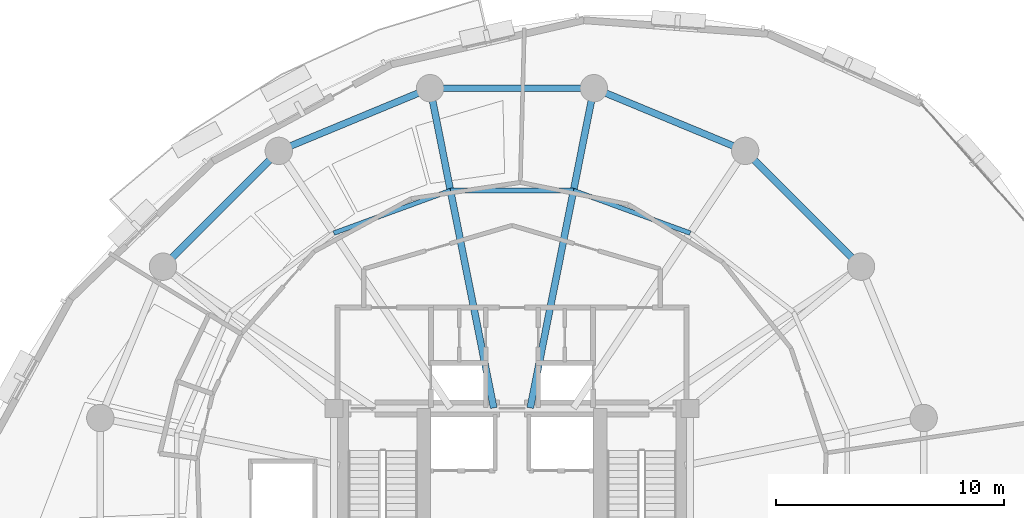
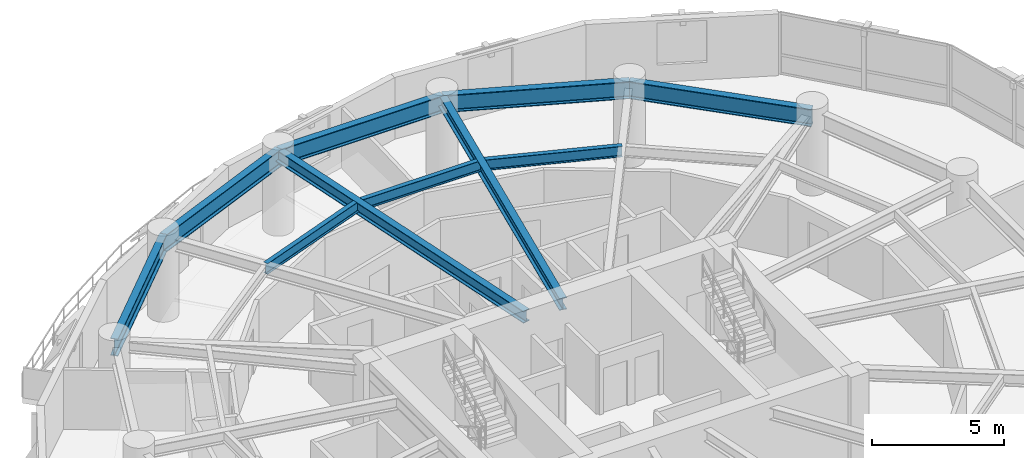
# One storey, part 5 of 12: 10 beams.
"""IFC4 building model written with IfcOpenShell, lengths in metres."""

from ifc_helpers import new_model, si_unit, direction, frame, origin, origin_2d, place, context, subcontext, project, spatial, i_section, extrude, material, material_profile, profile_set, type_object, element, save


model = new_model("IFC4")

# Units and contexts
model_context = context("Model", 3, precision=1e-05, world=origin(), true_north=direction((0.0, 1.0)))
body_context = subcontext(model_context, "Body", "Model", "MODEL_VIEW")
ifc_project = project(units=[si_unit("LENGTHUNIT", "METRE"), si_unit("AREAUNIT", "SQUARE_METRE"), si_unit("VOLUMEUNIT", "CUBIC_METRE"), si_unit("PLANEANGLEUNIT", "RADIAN"), si_unit("MASSUNIT", "GRAM", prefix="KILO"), si_unit("THERMODYNAMICTEMPERATUREUNIT", "KELVIN"), si_unit("POWERUNIT", "WATT")], contexts=[model_context])

# Site, building, storey
site_placement = place(None, origin())
site = spatial("IfcSite", under=ifc_project, at=site_placement, CompositionType="ELEMENT")
building_placement = place(site_placement, origin())
building = spatial("IfcBuilding", under=site, at=building_placement, Name="Ocrelia Relay Tower", CompositionType="ELEMENT")
storey_placement = place(building_placement, frame((0.0, 0.0, 153.800048828125)))
storey = spatial("IfcBuildingStorey", under=building, at=storey_placement, Name="L36", CompositionType="ELEMENT", Elevation=153.800048828125)

# Beams
ifc_material = material(Name="Steel S355", Category="steel")
ifc_material_profile_1 = material_profile(ifc_material, i_section(OverallWidth=0.300048828125, OverallDepth=0.550048828125, WebThickness=0.014892578125, FlangeThickness=0.029052734375, FilletRadius=0.027099609375, at=origin_2d()), Name="HEB 550")
ifc_profile_set_1 = profile_set([ifc_material_profile_1], Name="Steel S355")
beam_type_1 = type_object("IfcBeamType", Name="BM-HEB550", PredefinedType="BEAM", material=ifc_profile_set_1)
for number, where, z_axis, x_axis, name in (
    (1, (37.589599609375, 44.04638671875, 3.405029296875), (-0.195094300142, -0.980784489096, 0.0), (0.980784489096, -0.195094300142, 0.0), "L36 Radial Floor Girder R04"),
    (2, (30.410400390625, 44.04638671875, 3.405029296875), (0.195094300142, -0.980784489096, 0.0), (0.980784489096, 0.195094300142, 0.0), "L36 Radial Floor Girder R05"),
):
    element("IfcBeam", number, at=place(storey_placement, frame(where, z_axis=z_axis, x_axis=x_axis)), inside=storey, type_object=beam_type_1, Name=name, PredefinedType="BEAM", context=body_context, shape_type="SweptSolid", body=[
        extrude(i_section(OverallWidth=0.300048828125, OverallDepth=0.550048828125, WebThickness=0.014892578125, FlangeThickness=0.029052734375, FilletRadius=0.027099609375, at=origin_2d()), origin(), (0.0, 0.0, 1.0), 14.291015625),
    ])
ifc_material_profile_2 = material_profile(ifc_material, i_section(OverallWidth=0.300048828125, OverallDepth=0.800048828125, WebThickness=0.017578125, FlangeThickness=0.032958984375, FilletRadius=0.030029296875, at=origin_2d()), Name="HEB 800")
ifc_profile_set_2 = profile_set([ifc_material_profile_2], Name="Steel S355")
beam_type_2 = type_object("IfcBeamType", Name="BM-HEB800", PredefinedType="BEAM", material=ifc_profile_set_2)
beam_1_placement = place(storey_placement, frame((49.299072265625, 36.222412109375, 3.280029296875), z_axis=(-0.707106781187, 0.707106781187, 0.0), x_axis=(-0.707106781187, -0.707106781187, 0.0)))
element("IfcBeam", 3, at=beam_1_placement, inside=storey, type_object=beam_type_2, Name="L36 Perimeter Spandrel Beam S02", PredefinedType="BEAM", context=body_context, shape_type="SweptSolid", body=[
    extrude(i_section(OverallWidth=0.300048828125, OverallDepth=0.800048828125, WebThickness=0.017578125, FlangeThickness=0.032958984375, FilletRadius=0.030029296875, at=origin_2d()), origin(), (0.0, 0.0, 1.0), 7.179443359375),
])
for number, where, z_axis, x_axis, name in (
    (4, (44.222412109375, 41.299072265625, 3.280029296875), (-0.923883789366, 0.382673155247, 0.0), (-0.382673155247, -0.923883789366, 0.0), "L36 Perimeter Spandrel Beam S03"),
    (5, (37.589599609375, 44.04638671875, 3.280029296875), (-1.0, 0.0, 0.0), (0.0, -1.0, 0.0), "L36 Perimeter Spandrel Beam S04"),
    (6, (30.410400390625, 44.04638671875, 3.280029296875), (-0.923883789366, -0.382673155247, 0.0), (0.382673155247, -0.923883789366, 0.0), "L36 Perimeter Spandrel Beam S05"),
):
    element("IfcBeam", number, at=place(storey_placement, frame(where, z_axis=z_axis, x_axis=x_axis)), inside=storey, type_object=beam_type_2, Name=name, PredefinedType="BEAM", context=body_context, shape_type="SweptSolid", body=[
        extrude(i_section(OverallWidth=0.300048828125, OverallDepth=0.800048828125, WebThickness=0.017578125, FlangeThickness=0.032958984375, FilletRadius=0.030029296875, at=origin_2d()), origin(), (0.0, 0.0, 1.0), 7.17919921875),
    ])
beam_2_placement = place(storey_placement, frame((23.777587890625, 41.299072265625, 3.280029296875), z_axis=(-0.707106781187, -0.707106781187, 0.0), x_axis=(0.707106781187, -0.707106781187, 0.0)))
element("IfcBeam", 7, at=beam_2_placement, inside=storey, type_object=beam_type_2, Name="L36 Perimeter Spandrel Beam S06", PredefinedType="BEAM", context=body_context, shape_type="SweptSolid", body=[
    extrude(i_section(OverallWidth=0.300048828125, OverallDepth=0.800048828125, WebThickness=0.017578125, FlangeThickness=0.032958984375, FilletRadius=0.030029296875, at=origin_2d()), origin(), (0.0, 0.0, 1.0), 7.179443359375),
])
ifc_material_profile_3 = material_profile(ifc_material, i_section(OverallWidth=0.199951171875, OverallDepth=0.5, WebThickness=0.01025390625, FlangeThickness=0.01611328125, FilletRadius=0.02099609375, at=origin_2d()), Name="IPE 500")
ifc_profile_set_3 = profile_set([ifc_material_profile_3], Name="Steel S355")
beam_type_3 = type_object("IfcBeamType", Name="BM-IPE500", PredefinedType="JOIST", material=ifc_profile_set_3)
beam_3_placement = place(storey_placement, frame((41.81298828125, 37.69287109375, 3.429931640625), z_axis=(-0.93930687927, 0.34307810562, 0.0), x_axis=(-0.34307810562, -0.93930687927, 0.0)))
element("IfcBeam", 8, at=beam_3_placement, inside=storey, type_object=beam_type_3, Name="L36 Secondary Floor Joist J03", PredefinedType="JOIST", context=body_context, shape_type="SweptSolid", body=[
    extrude(i_section(OverallWidth=0.199951171875, OverallDepth=0.5, WebThickness=0.01025390625, FlangeThickness=0.01611328125, FilletRadius=0.02099609375, at=origin_2d()), origin(), (0.0, 0.0, 1.0), 5.446044921875),
])
beam_4_placement = place(storey_placement, frame((36.697509765625, 39.561279296875, 3.429931640625), z_axis=(-1.0, 0.0, 0.0), x_axis=(0.0, -1.0, 0.0)))
element("IfcBeam", 9, at=beam_4_placement, inside=storey, type_object=beam_type_3, Name="L36 Secondary Floor Joist J04", PredefinedType="JOIST", context=body_context, shape_type="SweptSolid", body=[
    extrude(i_section(OverallWidth=0.199951171875, OverallDepth=0.5, WebThickness=0.01025390625, FlangeThickness=0.01611328125, FilletRadius=0.02099609375, at=origin_2d()), origin(), (0.0, 0.0, 1.0), 5.39501953125),
])
beam_5_placement = place(storey_placement, frame((31.302490234375, 39.561279296875, 3.429931640625), z_axis=(-0.93930687927, -0.34307810562, 0.0), x_axis=(0.34307810562, -0.93930687927, 0.0)))
element("IfcBeam", 10, at=beam_5_placement, inside=storey, type_object=beam_type_3, Name="L36 Secondary Floor Joist J05", PredefinedType="JOIST", context=body_context, shape_type="SweptSolid", body=[
    extrude(i_section(OverallWidth=0.199951171875, OverallDepth=0.5, WebThickness=0.01025390625, FlangeThickness=0.01611328125, FilletRadius=0.02099609375, at=origin_2d()), origin(), (0.0, 0.0, 1.0), 5.446044921875),
])

save(model, "model.ifc")
